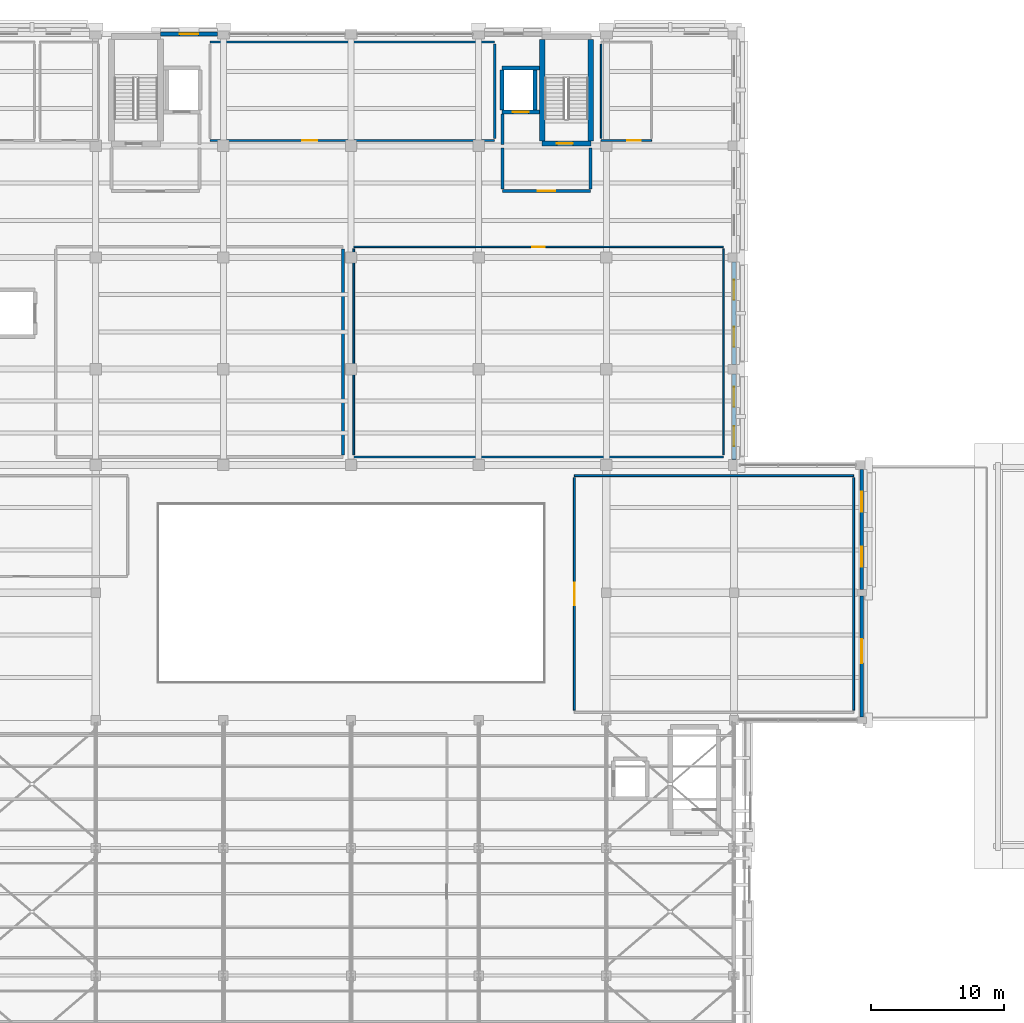
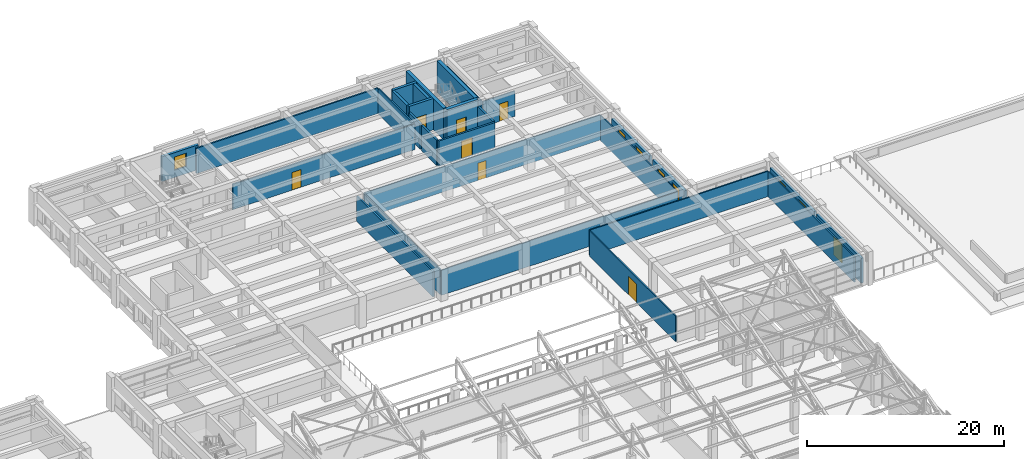
# One storey, part 60 of 71: 29 walls, 8 doors, 7 windows, 15 openings.
"""IFC4 building model written with IfcOpenShell, lengths in metres."""

from ifc_helpers import new_model, si_unit, direction, frame, frame_2d, origin, place, context, subcontext, project, spatial, rectangle, extrude, material, layer, layer_set, type_object, element, fill, save


model = new_model("IFC4")

# Units and contexts
model_context = context("Model", 3, precision=1e-05, world=origin(), true_north=direction((0.0, 1.0)))
body_context = subcontext(model_context, "Body", "Model", "MODEL_VIEW")
ifc_project = project(units=[si_unit("LENGTHUNIT", "METRE"), si_unit("AREAUNIT", "SQUARE_METRE"), si_unit("VOLUMEUNIT", "CUBIC_METRE"), si_unit("PLANEANGLEUNIT", "RADIAN"), si_unit("MASSUNIT", "GRAM", prefix="KILO")], contexts=[model_context])

# Site, building, storey
site_placement = place(None, origin())
site = spatial("IfcSite", under=ifc_project, at=site_placement, CompositionType="ELEMENT")
building_placement = place(site_placement, origin())
building = spatial("IfcBuilding", under=site, at=building_placement, Name="Bempovik Park Faculty of Sciences", CompositionType="ELEMENT")
storey_placement = place(building_placement, frame((0.0, 0.0, 14.10009765625)))
storey = spatial("IfcBuildingStorey", under=building, at=storey_placement, Name="L03", CompositionType="ELEMENT", Elevation=14.10009765625)

# Wall
ifc_material_1 = material(Name="Gypsum acoustic stud assembly")
ifc_layer_1 = layer(ifc_material_1, 0.1201171875)
ifc_layer_set_1 = layer_set([ifc_layer_1], Name="Gypsum acoustic stud assembly")
wall_type_1 = type_object("IfcWallType", Name="W-17 Wall 120mm", PredefinedType="PARTITIONING", material=ifc_layer_set_1)
wall_1_placement = place(storey_placement, frame((89.0, 87.60009765625, 0.0), z_axis=(0.0, 0.0, 1.0), x_axis=(1.0, 0.0, 0.0)))
element("IfcWall", 1, at=wall_1_placement, inside=storey, type_object=wall_type_1, Name="L03 Earth and Marine Academic Staff Offices Partition South", PredefinedType="PARTITIONING", context=body_context, shape_type="SweptSolid", body=[
    extrude(rectangle(XDim=27.800048828125, YDim=0.1201171875, at=frame_2d((13.89990234375, 0.0))), origin(), (0.0, 0.0, 1.0), 3.14990234375),
])

# Wall, opening, door
wall_2_placement = place(storey_placement, frame((89.0, 103.39990234375, 0.0), z_axis=(0.0, 0.0, 1.0), x_axis=(1.0, 0.0, 0.0)))
wall_2 = element("IfcWall", 2, at=wall_2_placement, inside=storey, type_object=wall_type_1, Name="L03 Earth and Marine Academic Staff Offices Partition North", PredefinedType="PARTITIONING", context=body_context, shape_type="SweptSolid", body=[
    extrude(rectangle(XDim=27.800048828125, YDim=0.1201171875, at=frame_2d((13.89990234375, 0.0))), origin(), (0.0, 0.0, 1.0), 3.14990234375),
])
opening_1_placement = place(wall_2_placement, frame((13.425048828125, 0.0, 0.0)))
opening_1 = element("IfcOpeningElement", 3, at=opening_1_placement, cuts=wall_2, Name="Opening D-47", PredefinedType="OPENING", context=body_context, shape_type="SweptSolid", body=[
    extrude(rectangle(XDim=0.949951171875, YDim=2.14990234375, at=frame_2d((0.47509765625, 1.074951171875))), frame((0.0, 0.070068359375, 0.0), z_axis=(0.0, -1.0, 0.0), x_axis=(1.0, 0.0, 0.0)), (0.0, 0.0, 1.0), 0.14013671875),
])
ifc_material_2 = material(Name="West African hardwood finish", Category="wood")
door_type_1 = type_object("IfcDoorType", Name="D-47 Door 950x2150", OperationType="NOTDEFINED", PredefinedType="DOOR", material=ifc_material_2)
door_1_placement = place(opening_1_placement, origin())
door_1 = element("IfcDoor", 4, at=door_1_placement, inside=storey, type_object=door_type_1, Name="L03 Earth and Marine Academic Staff Offices Door", OperationType="SINGLE_SWING_RIGHT", OverallHeight=2.14990234375, OverallWidth=0.949951171875, PredefinedType="DOOR", context=body_context, shape_type="SweptSolid", body=[
    extrude(rectangle(XDim=0.949951171875, YDim=2.14990234375, at=frame_2d((0.47509765625, 1.074951171875))), frame((0.0, 0.02490234375, 0.0), z_axis=(0.0, -1.0, 0.0), x_axis=(1.0, 0.0, 0.0)), (0.0, 0.0, 1.0), 0.050048828125),
])
fill(opening_1, door_1)

# Walls
for number, where, z_axis, x_axis, name in (
    (5, (89.0, 87.760009765625, 0.0), (0.0, 0.0, 1.0), (0.0, 1.0, 0.0), "L03 Earth and Marine Academic Staff Offices Partition West"),
    (6, (116.800048828125, 87.760009765625, 0.0), (0.0, 0.0, 1.0), (0.0, 1.0, 0.0), "L03 Earth and Marine Academic Staff Offices Partition East"),
):
    element("IfcWall", number, at=place(storey_placement, frame(where, z_axis=z_axis, x_axis=x_axis)), inside=storey, type_object=wall_type_1, Name=name, PredefinedType="PARTITIONING", context=body_context, shape_type="SweptSolid", body=[
        extrude(rectangle(XDim=15.47998046875, YDim=0.1201171875, at=frame_2d((7.739990234375, 0.0))), origin(), (0.0, 0.0, 1.0), 3.14990234375),
    ])

# Wall, opening, door
wall_3_placement = place(storey_placement, frame((107.60009765625, 111.39990234375, 0.0), z_axis=(0.0, 0.0, 1.0), x_axis=(1.0, 0.0, 0.0)))
wall_3 = element("IfcWall", 7, at=wall_3_placement, inside=storey, type_object=wall_type_1, Name="L03 L03 Accessible WC Partition South", PredefinedType="PARTITIONING", context=body_context, shape_type="SweptSolid", body=[
    extrude(rectangle(XDim=3.7998046875, YDim=0.1201171875, at=frame_2d((1.89990234375, 0.0))), origin(), (0.0, 0.0, 1.0), 3.14990234375),
])
opening_2_placement = place(wall_3_placement, frame((1.969970703125, 0.0, 0.0)))
opening_2 = element("IfcOpeningElement", 8, at=opening_2_placement, cuts=wall_3, Name="Opening D-50", PredefinedType="OPENING", context=body_context, shape_type="SweptSolid", body=[
    extrude(rectangle(XDim=1.0, YDim=2.14990234375, at=frame_2d((0.5, 1.074951171875))), frame((0.0, 0.070068359375, 0.0), z_axis=(0.0, -1.0, 0.0), x_axis=(1.0, 0.0, 0.0)), (0.0, 0.0, 1.0), 0.14013671875),
])
door_type_2 = type_object("IfcDoorType", Name="D-50 Door 1000x2150", OperationType="NOTDEFINED", PredefinedType="DOOR", material=ifc_material_2)
door_2_placement = place(opening_2_placement, origin())
door_2 = element("IfcDoor", 9, at=door_2_placement, inside=storey, type_object=door_type_2, Name="L03 L03 Accessible WC Door", OperationType="SINGLE_SWING_RIGHT", OverallHeight=2.14990234375, OverallWidth=1.0, PredefinedType="DOOR", context=body_context, shape_type="SweptSolid", body=[
    extrude(rectangle(XDim=1.0, YDim=2.14990234375, at=frame_2d((0.5, 1.074951171875))), frame((0.0, 0.02490234375, 0.0), z_axis=(0.0, -1.0, 0.0), x_axis=(1.0, 0.0, 0.0)), (0.0, 0.0, 1.0), 0.050048828125),
])
fill(opening_2, door_2)

# Wall
wall_4_placement = place(storey_placement, frame((107.60009765625, 111.56005859375, 0.0), z_axis=(0.0, 0.0, 1.0), x_axis=(0.0, 1.0, 0.0)))
element("IfcWall", 10, at=wall_4_placement, inside=storey, type_object=wall_type_1, Name="L03 L03 Accessible WC Partition West", PredefinedType="PARTITIONING", context=body_context, shape_type="SweptSolid", body=[
    extrude(rectangle(XDim=7.079833984375, YDim=0.1201171875, at=frame_2d((3.5400390625, 0.0))), origin(), (0.0, 0.0, 1.0), 3.14990234375),
])

# Wall, opening, door
ifc_material_3 = material(Name="Concrete C40/50", Category="concrete")
ifc_layer_2 = layer(ifc_material_3, 0.300048828125)
ifc_layer_set_2 = layer_set([ifc_layer_2], Name="Concrete C40/50")
wall_type_2 = type_object("IfcWallType", Name="W-31 Wall 300mm", PredefinedType="SHEAR", material=ifc_layer_set_2)
wall_5_placement = place(storey_placement, frame((100.14990234375, 113.550048828125, 0.0), z_axis=(0.0, 0.0, 1.0), x_axis=(1.0, 0.0, 0.0)))
wall_5 = element("IfcWall", 11, at=wall_5_placement, inside=storey, type_object=wall_type_2, Name="Lift LF-2 L03 Shaft Wall South", PredefinedType="SHEAR", context=body_context, shape_type="SweptSolid", body=[
    extrude(rectangle(XDim=2.8251953125, YDim=0.300048828125, at=frame_2d((1.41259765625, 0.0))), origin(), (0.0, 0.0, 1.0), 3.89990234375),
])
opening_3_placement = place(wall_5_placement, frame((0.8125, 0.0, 0.0)))
opening_3 = element("IfcOpeningElement", 12, at=opening_3_placement, cuts=wall_5, Name="Opening LD-01", PredefinedType="OPENING", context=body_context, shape_type="SweptSolid", body=[
    extrude(rectangle(XDim=1.199951171875, YDim=2.199951171875, at=frame_2d((0.60009765625, 1.10009765625))), frame((0.0, 0.16015625, 0.0), z_axis=(0.0, -1.0, 0.0), x_axis=(1.0, 0.0, 0.0)), (0.0, 0.0, 1.0), 0.320068359375),
])
ifc_material_4 = material(Name="Painted steel S355", Category="steel")
door_type_3 = type_object("IfcDoorType", Name="LD-01 Door 1200x2200", OperationType="NOTDEFINED", PredefinedType="DOOR", material=ifc_material_4)
door_3_placement = place(opening_3_placement, origin())
door_3 = element("IfcDoor", 13, at=door_3_placement, inside=storey, type_object=door_type_3, Name="Lift LF-2 L03 Sliding Landing Door", OperationType="SLIDING_TO_LEFT", OverallHeight=2.199951171875, OverallWidth=1.199951171875, PredefinedType="DOOR", context=body_context, shape_type="SweptSolid", body=[
    extrude(rectangle(XDim=1.199951171875, YDim=2.199951171875, at=frame_2d((0.60009765625, 1.10009765625))), frame((0.0, 0.02490234375, 0.0), z_axis=(0.0, -1.0, 0.0), x_axis=(1.0, 0.0, 0.0)), (0.0, 0.0, 1.0), 0.050048828125),
])
fill(opening_3, door_3)

# Walls
wall_6_placement = place(storey_placement, frame((100.14990234375, 116.85009765625, 0.0), z_axis=(0.0, 0.0, 1.0), x_axis=(1.0, 0.0, 0.0)))
element("IfcWall", 14, at=wall_6_placement, inside=storey, type_object=wall_type_2, Name="Lift LF-2 L03 Shaft Wall North", PredefinedType="SHEAR", context=body_context, shape_type="SweptSolid", body=[
    extrude(rectangle(XDim=2.8251953125, YDim=0.300048828125, at=frame_2d((1.41259765625, 0.0))), origin(), (0.0, 0.0, 1.0), 3.89990234375),
])
for number, where, z_axis, x_axis, name in (
    (15, (100.14990234375, 113.699951171875, 0.0), (0.0, 0.0, 1.0), (0.0, 1.0, 0.0), "Lift LF-2 L03 Shaft Wall West"),
    (16, (102.64990234375, 113.699951171875, 0.0), (0.0, 0.0, 1.0), (0.0, 1.0, 0.0), "Lift LF-2 L03 Shaft Wall East"),
):
    element("IfcWall", number, at=place(storey_placement, frame(where, z_axis=z_axis, x_axis=x_axis)), inside=storey, type_object=wall_type_2, Name=name, PredefinedType="SHEAR", context=body_context, shape_type="SweptSolid", body=[
        extrude(rectangle(XDim=3.0, YDim=0.300048828125, at=frame_2d((1.5, 0.0))), origin(), (0.0, 0.0, 1.0), 3.89990234375),
    ])

# Wall, opening, door
ifc_material_5 = material(Name="Concrete C35/45", Category="concrete")
ifc_layer_3 = layer(ifc_material_5, 0.219970703125)
ifc_layer_set_3 = layer_set([ifc_layer_3], Name="Concrete C35/45")
wall_type_3 = type_object("IfcWallType", Name="W-38 Wall 220mm", PredefinedType="PARTITIONING", material=ifc_layer_set_3)
wall_7_placement = place(storey_placement, frame((100.199951171875, 107.60009765625, 0.0), z_axis=(0.0, 0.0, 1.0), x_axis=(1.0, 0.0, 0.0)))
wall_7 = element("IfcWall", 17, at=wall_7_placement, inside=storey, type_object=wall_type_3, Name="L03 Firefighting Lift Lobby East Partition South", PredefinedType="PARTITIONING", context=body_context, shape_type="SweptSolid", body=[
    extrude(rectangle(XDim=6.60009765625, YDim=0.219970703125, at=frame_2d((3.300048828125, 0.0))), origin(), (0.0, 0.0, 1.0), 3.14990234375),
])
opening_4_placement = place(wall_7_placement, frame((2.64990234375, 0.0, 0.0)))
opening_4 = element("IfcOpeningElement", 18, at=opening_4_placement, cuts=wall_7, Name="Opening D-38", PredefinedType="OPENING", context=body_context, shape_type="SweptSolid", body=[
    extrude(rectangle(XDim=1.300048828125, YDim=2.199951171875, at=frame_2d((0.64990234375, 1.10009765625))), frame((0.0, 0.1201171875, 0.0), z_axis=(0.0, -1.0, 0.0), x_axis=(1.0, 0.0, 0.0)), (0.0, 0.0, 1.0), 0.239990234375),
])
door_type_4 = type_object("IfcDoorType", Name="D-38 Door 1300x2200", OperationType="NOTDEFINED", PredefinedType="DOOR", material=ifc_material_4)
door_4_placement = place(opening_4_placement, origin())
door_4 = element("IfcDoor", 19, at=door_4_placement, inside=storey, type_object=door_type_4, Name="L03 Firefighting Lift Lobby East Door", OperationType="SINGLE_SWING_LEFT", OverallHeight=2.199951171875, OverallWidth=1.300048828125, PredefinedType="DOOR", context=body_context, shape_type="SweptSolid", body=[
    extrude(rectangle(XDim=1.300048828125, YDim=2.199951171875, at=frame_2d((0.64990234375, 1.10009765625))), frame((0.0, 0.02490234375, 0.0), z_axis=(0.0, -1.0, 0.0), x_axis=(1.0, 0.0, 0.0)), (0.0, 0.0, 1.0), 0.050048828125),
])
fill(opening_4, door_4)

# Walls
wall_8_placement = place(storey_placement, frame((100.199951171875, 111.080078125, 0.0), z_axis=(0.0, 0.0, 1.0), x_axis=(0.0, 1.0, 0.0)))
element("IfcWall", 20, at=wall_8_placement, inside=storey, type_object=wall_type_3, Name="L03 Firefighting Lobby East Lift Link Wall", PredefinedType="PARTITIONING", context=body_context, shape_type="SweptSolid", body=[
    extrude(rectangle(XDim=2.31982421875, YDim=0.219970703125, at=frame_2d((1.159912109375, 0.0))), origin(), (0.0, 0.0, 1.0), 3.14990234375),
])
for number, where, z_axis, x_axis, name in (
    (21, (100.199951171875, 107.760009765625, 0.0), (0.0, 0.0, 1.0), (0.0, 1.0, 0.0), "L03 Firefighting Lift Lobby East Partition West"),
    (22, (106.800048828125, 107.760009765625, 0.0), (0.0, 0.0, 1.0), (0.0, 1.0, 0.0), "L03 Firefighting Lift Lobby East Partition East"),
):
    element("IfcWall", number, at=place(storey_placement, frame(where, z_axis=z_axis, x_axis=x_axis)), inside=storey, type_object=wall_type_3, Name=name, PredefinedType="PARTITIONING", context=body_context, shape_type="SweptSolid", body=[
        extrude(rectangle(XDim=3.080078125, YDim=0.219970703125, at=frame_2d((1.5400390625, 0.0))), origin(), (0.0, 0.0, 1.0), 3.14990234375),
    ])
ifc_layer_4 = layer(ifc_material_1, 0.14990234375)
ifc_layer_set_4 = layer_set([ifc_layer_4], Name="Gypsum acoustic stud assembly")
wall_type_4 = type_object("IfcWallType", Name="W-42 Wall 150mm", PredefinedType="PARTITIONING", material=ifc_layer_set_4)
wall_9_placement = place(storey_placement, frame((105.60009765625, 86.199951171875, 0.0), z_axis=(0.0, 0.0, 1.0), x_axis=(1.0, 0.0, 0.0)))
element("IfcWall", 23, at=wall_9_placement, inside=storey, type_object=wall_type_4, Name="L03 East Terrace Reading Lounge Partition North", PredefinedType="PARTITIONING", context=body_context, shape_type="SweptSolid", body=[
    extrude(rectangle(XDim=21.0, YDim=0.14990234375, at=frame_2d((10.5, 0.0))), origin(), (0.0, 0.0, 1.0), 3.14990234375),
])

# Wall, opening, door
wall_10_placement = place(storey_placement, frame((105.60009765625, 68.56005859375, 0.0), z_axis=(0.0, 0.0, 1.0), x_axis=(0.0, 1.0, 0.0)))
wall_10 = element("IfcWall", 24, at=wall_10_placement, inside=storey, type_object=wall_type_4, Name="L03 East Terrace Reading Lounge Partition West", PredefinedType="PARTITIONING", context=body_context, shape_type="SweptSolid", body=[
    extrude(rectangle(XDim=17.47998046875, YDim=0.14990234375, at=frame_2d((8.739990234375, 0.0))), origin(), (0.0, 0.0, 1.0), 3.14990234375),
])
opening_5_placement = place(wall_10_placement, frame((7.889892578125, 0.0, 0.0)))
opening_5 = element("IfcOpeningElement", 25, at=opening_5_placement, cuts=wall_10, Name="Opening D-40", PredefinedType="OPENING", context=body_context, shape_type="SweptSolid", body=[
    extrude(rectangle(XDim=1.699951171875, YDim=2.300048828125, at=frame_2d((0.85009765625, 1.14990234375))), frame((0.0, 0.0849609375, 0.0), z_axis=(0.0, -1.0, 0.0), x_axis=(1.0, 0.0, 0.0)), (0.0, 0.0, 1.0), 0.169921875),
])
ifc_material_6 = material(Name="Anodised architectural bronze")
door_type_5 = type_object("IfcDoorType", Name="D-40 Door 1700x2300", OperationType="NOTDEFINED", PredefinedType="DOOR", material=ifc_material_6)
door_5_placement = place(opening_5_placement, origin())
door_5 = element("IfcDoor", 26, at=door_5_placement, inside=storey, type_object=door_type_5, Name="L03 East Terrace Reading Lounge Door", OperationType="DOUBLE_DOOR_SINGLE_SWING", OverallHeight=2.300048828125, OverallWidth=1.699951171875, PredefinedType="DOOR", context=body_context, shape_type="SweptSolid", body=[
    extrude(rectangle(XDim=1.699951171875, YDim=2.300048828125, at=frame_2d((0.85009765625, 1.14990234375))), frame((0.0, 0.02490234375, 0.0), z_axis=(0.0, -1.0, 0.0), x_axis=(1.0, 0.0, 0.0)), (0.0, 0.0, 1.0), 0.050048828125),
])
fill(opening_5, door_5)

# Wall
wall_11_placement = place(storey_placement, frame((126.60009765625, 68.56005859375, 0.0), z_axis=(0.0, 0.0, 1.0), x_axis=(0.0, 1.0, 0.0)))
element("IfcWall", 27, at=wall_11_placement, inside=storey, type_object=wall_type_4, Name="L03 East Terrace Reading Lounge Partition East", PredefinedType="PARTITIONING", context=body_context, shape_type="SweptSolid", body=[
    extrude(rectangle(XDim=17.47998046875, YDim=0.14990234375, at=frame_2d((8.739990234375, 0.0))), origin(), (0.0, 0.0, 1.0), 3.14990234375),
])

# Wall, opening, door
ifc_layer_5 = layer(ifc_material_3, 0.39990234375)
ifc_layer_set_5 = layer_set([ifc_layer_5], Name="Concrete C40/50")
wall_type_5 = type_object("IfcWallType", Name="W-47 Wall 400mm", PredefinedType="SHEAR", material=ifc_layer_set_5)
wall_12_placement = place(storey_placement, frame((103.175048828125, 111.175048828125, 0.0), z_axis=(0.0, 0.0, 1.0), x_axis=(1.0, 0.0, 0.0)))
wall_12 = element("IfcWall", 28, at=wall_12_placement, inside=storey, type_object=wall_type_5, Name="ST-2 L03 Core Shear Wall South", PredefinedType="SHEAR", context=body_context, shape_type="SweptSolid", body=[
    extrude(rectangle(XDim=3.64990234375, YDim=0.39990234375, at=frame_2d((1.824951171875, 0.0))), origin(), (0.0, 0.0, 1.0), 3.89990234375),
])
opening_6_placement = place(wall_12_placement, frame((1.10009765625, 0.0, 0.0)))
opening_6 = element("IfcOpeningElement", 29, at=opening_6_placement, cuts=wall_12, Name="Opening D-49", PredefinedType="OPENING", context=body_context, shape_type="SweptSolid", body=[
    extrude(rectangle(XDim=1.199951171875, YDim=2.199951171875, at=frame_2d((0.60009765625, 1.10009765625))), frame((0.0, 0.2099609375, 0.0), z_axis=(0.0, -1.0, 0.0), x_axis=(1.0, 0.0, 0.0)), (0.0, 0.0, 1.0), 0.419921875),
])
door_type_6 = type_object("IfcDoorType", Name="D-49 Door 1200x2200", OperationType="NOTDEFINED", PredefinedType="DOOR", material=ifc_material_4)
door_6_placement = place(opening_6_placement, origin())
door_6 = element("IfcDoor", 30, at=door_6_placement, inside=storey, type_object=door_type_6, Name="ST-2 L03 Protected Stair Smoke Door", OperationType="SINGLE_SWING_LEFT", OverallHeight=2.199951171875, OverallWidth=1.199951171875, PredefinedType="DOOR", context=body_context, shape_type="SweptSolid", body=[
    extrude(rectangle(XDim=1.199951171875, YDim=2.199951171875, at=frame_2d((0.60009765625, 1.10009765625))), frame((0.0, 0.02490234375, 0.0), z_axis=(0.0, -1.0, 0.0), x_axis=(1.0, 0.0, 0.0)), (0.0, 0.0, 1.0), 0.050048828125),
])
fill(opening_6, door_6)

# Walls
for number, where, z_axis, x_axis, name in (
    (31, (103.175048828125, 111.375, 0.0), (0.0, 0.0, 1.0), (0.0, 1.0, 0.0), "ST-2 L03 Core Shear Wall West"),
    (32, (106.824951171875, 111.375, 0.0), (0.0, 0.0, 1.0), (0.0, 1.0, 0.0), "ST-2 L03 Core Shear Wall East"),
):
    element("IfcWall", number, at=place(storey_placement, frame(where, z_axis=z_axis, x_axis=x_axis)), inside=storey, type_object=wall_type_5, Name=name, PredefinedType="SHEAR", context=body_context, shape_type="SweptSolid", body=[
        extrude(rectangle(XDim=7.625, YDim=0.39990234375, at=frame_2d((3.8125, 0.0))), origin(), (0.0, 0.0, 1.0), 3.89990234375),
    ])

# Wall, opening, door
ifc_layer_6 = layer(ifc_material_5, 0.169921875)
ifc_layer_set_6 = layer_set([ifc_layer_6], Name="Concrete C35/45")
wall_type_6 = type_object("IfcWallType", Name="W-50 Wall 170mm", PredefinedType="PARTITIONING", material=ifc_layer_set_6)
wall_13_placement = place(storey_placement, frame((78.199951171875, 111.39990234375, 0.0), z_axis=(0.0, 0.0, 1.0), x_axis=(1.0, 0.0, 0.0)))
wall_13 = element("IfcWall", 33, at=wall_13_placement, inside=storey, type_object=wall_type_6, Name="L03 Thin-Section Petrology Preparation Room Partition South", PredefinedType="PARTITIONING", context=body_context, shape_type="SweptSolid", body=[
    extrude(rectangle(XDim=21.400146484375, YDim=0.169921875, at=frame_2d((10.7001953125, 0.0))), origin(), (0.0, 0.0, 1.0), 3.14990234375),
])
opening_7_placement = place(wall_13_placement, frame((6.93994140625, 0.0, 0.0)))
opening_7 = element("IfcOpeningElement", 34, at=opening_7_placement, cuts=wall_13, Name="Opening D-65", PredefinedType="OPENING", context=body_context, shape_type="SweptSolid", body=[
    extrude(rectangle(XDim=1.10009765625, YDim=2.199951171875, at=frame_2d((0.550048828125, 1.10009765625))), frame((0.0, 0.094970703125, 0.0), z_axis=(0.0, -1.0, 0.0), x_axis=(1.0, 0.0, 0.0)), (0.0, 0.0, 1.0), 0.18994140625),
])
door_type_7 = type_object("IfcDoorType", Name="D-65 Door 1100x2200", OperationType="NOTDEFINED", PredefinedType="DOOR", material=ifc_material_2)
door_7_placement = place(opening_7_placement, origin())
door_7 = element("IfcDoor", 35, at=door_7_placement, inside=storey, type_object=door_type_7, Name="L03 Thin-Section Petrology Preparation Room Door", OperationType="SINGLE_SWING_LEFT", OverallHeight=2.199951171875, OverallWidth=1.10009765625, PredefinedType="DOOR", context=body_context, shape_type="SweptSolid", body=[
    extrude(rectangle(XDim=1.10009765625, YDim=2.199951171875, at=frame_2d((0.550048828125, 1.10009765625))), frame((0.0, 0.02490234375, 0.0), z_axis=(0.0, -1.0, 0.0), x_axis=(1.0, 0.0, 0.0)), (0.0, 0.0, 1.0), 0.050048828125),
])
fill(opening_7, door_7)

# Walls
wall_14_placement = place(storey_placement, frame((78.199951171875, 118.800048828125, 0.0), z_axis=(0.0, 0.0, 1.0), x_axis=(1.0, 0.0, 0.0)))
element("IfcWall", 36, at=wall_14_placement, inside=storey, type_object=wall_type_6, Name="L03 Thin-Section Petrology Preparation Room Partition North", PredefinedType="PARTITIONING", context=body_context, shape_type="SweptSolid", body=[
    extrude(rectangle(XDim=21.400146484375, YDim=0.169921875, at=frame_2d((10.7001953125, 0.0))), origin(), (0.0, 0.0, 1.0), 3.14990234375),
])
wall_15_placement = place(storey_placement, frame((99.60009765625, 111.56005859375, 0.0), z_axis=(0.0, 0.0, 1.0), x_axis=(0.0, 1.0, 0.0)))
element("IfcWall", 37, at=wall_15_placement, inside=storey, type_object=wall_type_6, Name="L03 Thin-Section Petrology Preparation Room Partition East", PredefinedType="PARTITIONING", context=body_context, shape_type="SweptSolid", body=[
    extrude(rectangle(XDim=7.079833984375, YDim=0.169921875, at=frame_2d((3.5400390625, 0.0))), origin(), (0.0, 0.0, 1.0), 3.14990234375),
])

# Wall, opening, door
ifc_material_7 = material(Name="Precast concrete C40/50", Category="concrete")
ifc_layer_7 = layer(ifc_material_7, 0.260009765625)
ifc_layer_set_7 = layer_set([ifc_layer_7], Name="Precast concrete C40/50")
wall_type_7 = type_object("IfcWallType", Name="W-54 Wall 260mm", PredefinedType="SOLIDWALL", material=ifc_layer_set_7)
wall_16_placement = place(storey_placement, frame((127.199951171875, 68.052001953125, 0.0), z_axis=(0.0, 0.0, 1.0), x_axis=(0.0, 1.0, 0.0)))
wall_16 = element("IfcWall", 38, at=wall_16_placement, inside=storey, type_object=wall_type_7, Name="L03 Classical Precast Facade Wall EW-L03-8642", PredefinedType="SOLIDWALL", context=body_context, shape_type="SweptSolid", body=[
    extrude(rectangle(XDim=9.095947265625, YDim=0.260009765625, at=frame_2d((4.5478515625, 0.0))), origin(), (0.0, 0.0, 1.0), 3.079833984375),
])
opening_8_placement = place(wall_16_placement, frame((4.048095703125, 0.0, 0.0)))
opening_8 = element("IfcOpeningElement", 39, at=opening_8_placement, cuts=wall_16, Name="Opening D-17", PredefinedType="OPENING", context=body_context, shape_type="SweptSolid", body=[
    extrude(rectangle(XDim=1.800048828125, YDim=2.300048828125, at=frame_2d((0.89990234375, 1.14990234375))), frame((0.0, 0.14013671875, 0.0), z_axis=(0.0, -1.0, 0.0), x_axis=(1.0, 0.0, 0.0)), (0.0, 0.0, 1.0), 0.280029296875),
])
door_type_8 = type_object("IfcDoorType", Name="D-17 Door 1800x2300", OperationType="NOTDEFINED", PredefinedType="DOOR", material=ifc_material_6)
door_8_placement = place(opening_8_placement, frame((1.800048828125, 0.0, 0.0), z_axis=(0.0, 0.0, 1.0), x_axis=(-1.0, 0.0, 0.0)))
door_8 = element("IfcDoor", 40, at=door_8_placement, inside=storey, type_object=door_type_8, Name="L03 East Reading Terrace Access Door", OperationType="DOUBLE_DOOR_SINGLE_SWING", OverallHeight=2.300048828125, OverallWidth=1.800048828125, PredefinedType="DOOR", context=body_context, shape_type="SweptSolid", body=[
    extrude(rectangle(XDim=1.800048828125, YDim=2.300048828125, at=frame_2d((0.89990234375, 1.14990234375))), frame((0.0, 0.02490234375, 0.0), z_axis=(0.0, -1.0, 0.0), x_axis=(1.0, 0.0, 0.0)), (0.0, 0.0, 1.0), 0.050048828125),
])
fill(opening_8, door_8)

# Wall, openings, windows
wall_17_placement = place(storey_placement, frame((127.199951171875, 77.652099609375, 0.0), z_axis=(0.0, 0.0, 1.0), x_axis=(0.0, 1.0, 0.0)))
wall_17 = element("IfcWall", 41, at=wall_17_placement, inside=storey, type_object=wall_type_7, Name="L03 Classical Precast Facade Wall EW-L03-8646", PredefinedType="SOLIDWALL", context=body_context, shape_type="SweptSolid", body=[
    extrude(rectangle(XDim=8.995849609375, YDim=0.260009765625, at=frame_2d((4.498046875, 0.0))), origin(), (0.0, 0.0, 1.0), 3.079833984375),
])
opening_9_placement = place(wall_17_placement, frame((1.678955078125, 0.0, 0.85009765625)))
opening_9 = element("IfcOpeningElement", 42, at=opening_9_placement, cuts=wall_17, Name="Opening WN-65", PredefinedType="OPENING", context=body_context, shape_type="SweptSolid", body=[
    extrude(rectangle(XDim=1.5, YDim=1.85009765625, at=frame_2d((0.75, 0.925048828125))), frame((0.0, 0.14013671875, 0.0), z_axis=(0.0, -1.0, 0.0), x_axis=(1.0, 0.0, 0.0)), (0.0, 0.0, 1.0), 0.280029296875),
])
opening_10_placement = place(wall_17_placement, frame((5.817138671875, 0.0, 0.85009765625)))
opening_10 = element("IfcOpeningElement", 43, at=opening_10_placement, cuts=wall_17, Name="Opening WN-65", PredefinedType="OPENING", context=body_context, shape_type="SweptSolid", body=[
    extrude(rectangle(XDim=1.5, YDim=1.85009765625, at=frame_2d((0.75, 0.925048828125))), frame((0.0, 0.14013671875, 0.0), z_axis=(0.0, -1.0, 0.0), x_axis=(1.0, 0.0, 0.0)), (0.0, 0.0, 1.0), 0.280029296875),
])
ifc_material_8 = material(Name="Tempered laminated low-E glass", Category="glass")
window_type_1 = type_object("IfcWindowType", Name="WN-65 Window 1500x1850", PartitioningType="SINGLE_PANEL", PredefinedType="WINDOW", material=ifc_material_8)
window_1_placement = place(opening_9_placement, origin())
window_1 = element("IfcWindow", 44, at=window_1_placement, inside=storey, type_object=window_type_1, Name="L03 Window EW-L03-8646-1", OverallHeight=1.85009765625, OverallWidth=1.5, PartitioningType="SINGLE_PANEL", PredefinedType="WINDOW", context=body_context, shape_type="SweptSolid", body=[
    extrude(rectangle(XDim=1.5, YDim=1.85009765625, at=frame_2d((0.75, 0.925048828125))), frame((0.0, 0.030029296875, 0.0), z_axis=(0.0, -1.0, 0.0), x_axis=(1.0, 0.0, 0.0)), (0.0, 0.0, 1.0), 0.06005859375),
])
fill(opening_9, window_1)
window_2_placement = place(opening_10_placement, origin())
window_2 = element("IfcWindow", 45, at=window_2_placement, inside=storey, type_object=window_type_1, Name="L03 Window EW-L03-8646-2", OverallHeight=1.85009765625, OverallWidth=1.5, PartitioningType="SINGLE_PANEL", PredefinedType="WINDOW", context=body_context, shape_type="SweptSolid", body=[
    extrude(rectangle(XDim=1.5, YDim=1.85009765625, at=frame_2d((0.75, 0.925048828125))), frame((0.0, 0.030029296875, 0.0), z_axis=(0.0, -1.0, 0.0), x_axis=(1.0, 0.0, 0.0)), (0.0, 0.0, 1.0), 0.06005859375),
])
fill(opening_10, window_2)

# Wall, opening, window
ifc_layer_8 = layer(ifc_material_7, 0.320068359375)
ifc_layer_set_8 = layer_set([ifc_layer_8], Name="Precast concrete C40/50")
wall_type_8 = type_object("IfcWallType", Name="W-56 Wall 320mm", PredefinedType="SOLIDWALL", material=ifc_layer_set_8)
wall_18_placement = place(storey_placement, frame((74.47607421875, 119.39990234375, 0.0), z_axis=(0.0, 0.0, 1.0), x_axis=(1.0, 0.0, 0.0)))
wall_18 = element("IfcWall", 46, at=wall_18_placement, inside=storey, type_object=wall_type_8, Name="L03 Classical Precast Facade Wall EW-L03-8516", PredefinedType="SOLIDWALL", context=body_context, shape_type="SweptSolid", body=[
    extrude(rectangle(XDim=4.27197265625, YDim=0.320068359375, at=frame_2d((2.135986328125, 0.0))), origin(), (0.0, 0.0, 1.0), 3.079833984375),
])
opening_11_placement = place(wall_18_placement, frame((1.43603515625, 0.0, 0.89990234375)))
opening_11 = element("IfcOpeningElement", 47, at=opening_11_placement, cuts=wall_18, Name="Opening WN-84", PredefinedType="OPENING", context=body_context, shape_type="SweptSolid", body=[
    extrude(rectangle(XDim=1.39990234375, YDim=1.64990234375, at=frame_2d((0.699951171875, 0.824951171875))), frame((0.0, 0.169921875, 0.0), z_axis=(0.0, -1.0, 0.0), x_axis=(1.0, 0.0, 0.0)), (0.0, 0.0, 1.0), 0.340087890625),
])
window_type_2 = type_object("IfcWindowType", Name="WN-84 Window 1400x1650", PartitioningType="SINGLE_PANEL", PredefinedType="WINDOW", material=ifc_material_8)
window_3_placement = place(opening_11_placement, origin())
window_3 = element("IfcWindow", 48, at=window_3_placement, inside=storey, type_object=window_type_2, Name="L03 Stairwell Classical Lancet Window EW-L03-8516", OverallHeight=1.64990234375, OverallWidth=1.39990234375, PartitioningType="SINGLE_PANEL", PredefinedType="WINDOW", context=body_context, shape_type="SweptSolid", body=[
    extrude(rectangle(XDim=1.39990234375, YDim=1.64990234375, at=frame_2d((0.699951171875, 0.824951171875))), frame((0.0, 0.030029296875, 0.0), z_axis=(0.0, -1.0, 0.0), x_axis=(1.0, 0.0, 0.0)), (0.0, 0.0, 1.0), 0.06005859375),
])
fill(opening_11, window_3)

# Wall, openings, windows
wall_19_placement = place(storey_placement, frame((117.60009765625, 87.427001953125, 0.0), z_axis=(0.0, 0.0, 1.0), x_axis=(0.0, 1.0, 0.0)))
wall_19 = element("IfcWall", 49, at=wall_19_placement, inside=storey, type_object=wall_type_8, Name="L03 Classical Precast Facade Wall EW-L03-8575", PredefinedType="SOLIDWALL", context=body_context, shape_type="SweptSolid", body=[
    extrude(rectangle(XDim=6.4208984375, YDim=0.320068359375, at=frame_2d((3.21044921875, 0.0))), origin(), (0.0, 0.0, 1.0), 3.079833984375),
])
opening_12_placement = place(wall_19_placement, frame((0.983642578125, 0.0, 0.85009765625)))
opening_12 = element("IfcOpeningElement", 50, at=opening_12_placement, cuts=wall_19, Name="Opening WN-65", PredefinedType="OPENING", context=body_context, shape_type="SweptSolid", body=[
    extrude(rectangle(XDim=1.5, YDim=1.85009765625, at=frame_2d((0.75, 0.925048828125))), frame((0.0, 0.169921875, 0.0), z_axis=(0.0, -1.0, 0.0), x_axis=(1.0, 0.0, 0.0)), (0.0, 0.0, 1.0), 0.340087890625),
])
opening_13_placement = place(wall_19_placement, frame((3.937255859375, 0.0, 0.85009765625)))
opening_13 = element("IfcOpeningElement", 51, at=opening_13_placement, cuts=wall_19, Name="Opening WN-65", PredefinedType="OPENING", context=body_context, shape_type="SweptSolid", body=[
    extrude(rectangle(XDim=1.5, YDim=1.85009765625, at=frame_2d((0.75, 0.925048828125))), frame((0.0, 0.169921875, 0.0), z_axis=(0.0, -1.0, 0.0), x_axis=(1.0, 0.0, 0.0)), (0.0, 0.0, 1.0), 0.340087890625),
])
window_4_placement = place(opening_12_placement, origin())
window_4 = element("IfcWindow", 52, at=window_4_placement, inside=storey, type_object=window_type_1, Name="L03 Window EW-L03-8575-1", OverallHeight=1.85009765625, OverallWidth=1.5, PartitioningType="SINGLE_PANEL", PredefinedType="WINDOW", context=body_context, shape_type="SweptSolid", body=[
    extrude(rectangle(XDim=1.5, YDim=1.85009765625, at=frame_2d((0.75, 0.925048828125))), frame((0.0, 0.030029296875, 0.0), z_axis=(0.0, -1.0, 0.0), x_axis=(1.0, 0.0, 0.0)), (0.0, 0.0, 1.0), 0.06005859375),
])
fill(opening_12, window_4)
window_5_placement = place(opening_13_placement, origin())
window_5 = element("IfcWindow", 53, at=window_5_placement, inside=storey, type_object=window_type_1, Name="L03 Window EW-L03-8575-2", OverallHeight=1.85009765625, OverallWidth=1.5, PartitioningType="SINGLE_PANEL", PredefinedType="WINDOW", context=body_context, shape_type="SweptSolid", body=[
    extrude(rectangle(XDim=1.5, YDim=1.85009765625, at=frame_2d((0.75, 0.925048828125))), frame((0.0, 0.030029296875, 0.0), z_axis=(0.0, -1.0, 0.0), x_axis=(1.0, 0.0, 0.0)), (0.0, 0.0, 1.0), 0.06005859375),
])
fill(opening_13, window_5)

wall_20_placement = place(storey_placement, frame((117.60009765625, 94.552001953125, 0.0), z_axis=(0.0, 0.0, 1.0), x_axis=(0.0, 1.0, 0.0)))
wall_20 = element("IfcWall", 54, at=wall_20_placement, inside=storey, type_object=wall_type_8, Name="L03 Classical Precast Facade Wall EW-L03-8588", PredefinedType="SOLIDWALL", context=body_context, shape_type="SweptSolid", body=[
    extrude(rectangle(XDim=7.696044921875, YDim=0.320068359375, at=frame_2d((3.84814453125, 0.0))), origin(), (0.0, 0.0, 1.0), 3.079833984375),
])
opening_14_placement = place(wall_20_placement, frame((1.327880859375, 0.0, 0.85009765625)))
opening_14 = element("IfcOpeningElement", 55, at=opening_14_placement, cuts=wall_20, Name="Opening WN-65", PredefinedType="OPENING", context=body_context, shape_type="SweptSolid", body=[
    extrude(rectangle(XDim=1.5, YDim=1.85009765625, at=frame_2d((0.75, 0.925048828125))), frame((0.0, 0.169921875, 0.0), z_axis=(0.0, -1.0, 0.0), x_axis=(1.0, 0.0, 0.0)), (0.0, 0.0, 1.0), 0.340087890625),
])
opening_15_placement = place(wall_20_placement, frame((4.8681640625, 0.0, 0.85009765625)))
opening_15 = element("IfcOpeningElement", 56, at=opening_15_placement, cuts=wall_20, Name="Opening WN-65", PredefinedType="OPENING", context=body_context, shape_type="SweptSolid", body=[
    extrude(rectangle(XDim=1.5, YDim=1.85009765625, at=frame_2d((0.75, 0.925048828125))), frame((0.0, 0.169921875, 0.0), z_axis=(0.0, -1.0, 0.0), x_axis=(1.0, 0.0, 0.0)), (0.0, 0.0, 1.0), 0.340087890625),
])
window_6_placement = place(opening_14_placement, origin())
window_6 = element("IfcWindow", 57, at=window_6_placement, inside=storey, type_object=window_type_1, Name="L03 Window EW-L03-8588-1", OverallHeight=1.85009765625, OverallWidth=1.5, PartitioningType="SINGLE_PANEL", PredefinedType="WINDOW", context=body_context, shape_type="SweptSolid", body=[
    extrude(rectangle(XDim=1.5, YDim=1.85009765625, at=frame_2d((0.75, 0.925048828125))), frame((0.0, 0.030029296875, 0.0), z_axis=(0.0, -1.0, 0.0), x_axis=(1.0, 0.0, 0.0)), (0.0, 0.0, 1.0), 0.06005859375),
])
fill(opening_14, window_6)
window_7_placement = place(opening_15_placement, origin())
window_7 = element("IfcWindow", 58, at=window_7_placement, inside=storey, type_object=window_type_1, Name="L03 Window EW-L03-8588-2", OverallHeight=1.85009765625, OverallWidth=1.5, PartitioningType="SINGLE_PANEL", PredefinedType="WINDOW", context=body_context, shape_type="SweptSolid", body=[
    extrude(rectangle(XDim=1.5, YDim=1.85009765625, at=frame_2d((0.75, 0.925048828125))), frame((0.0, 0.030029296875, 0.0), z_axis=(0.0, -1.0, 0.0), x_axis=(1.0, 0.0, 0.0)), (0.0, 0.0, 1.0), 0.06005859375),
])
fill(opening_15, window_7)

# Wall
ifc_layer_9 = layer(ifc_material_5, 0.199951171875)
ifc_layer_set_9 = layer_set([ifc_layer_9], Name="Concrete C35/45")
wall_type_9 = type_object("IfcWallType", Name="W-59 Wall 200mm", PredefinedType="PARTITIONING", material=ifc_layer_set_9)
wall_21_placement = place(storey_placement, frame((88.199951171875, 87.760009765625, 0.0), z_axis=(0.0, 0.0, 1.0), x_axis=(0.0, 1.0, 0.0)))
element("IfcWall", 59, at=wall_21_placement, inside=storey, type_object=wall_type_9, Name="L03 Materials Science Research Laboratory Partition East", PredefinedType="PARTITIONING", context=body_context, shape_type="SweptSolid", body=[
    extrude(rectangle(XDim=15.47998046875, YDim=0.199951171875, at=frame_2d((7.739990234375, 0.0))), origin(), (0.0, 0.0, 1.0), 3.14990234375),
])

save(model, "model.ifc")
